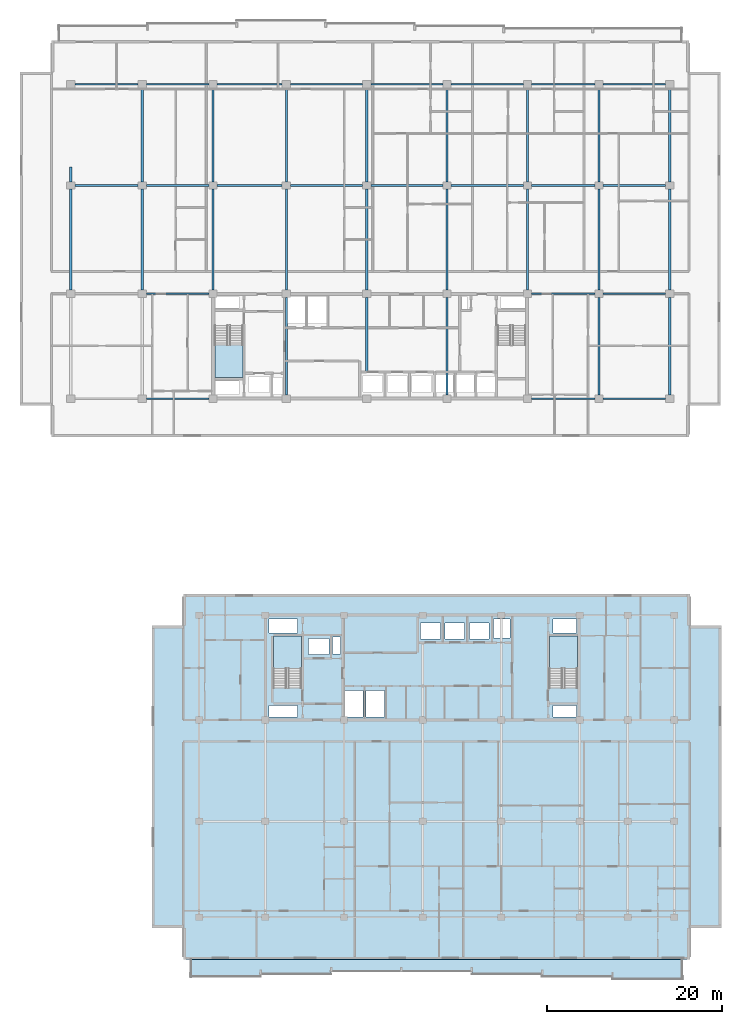
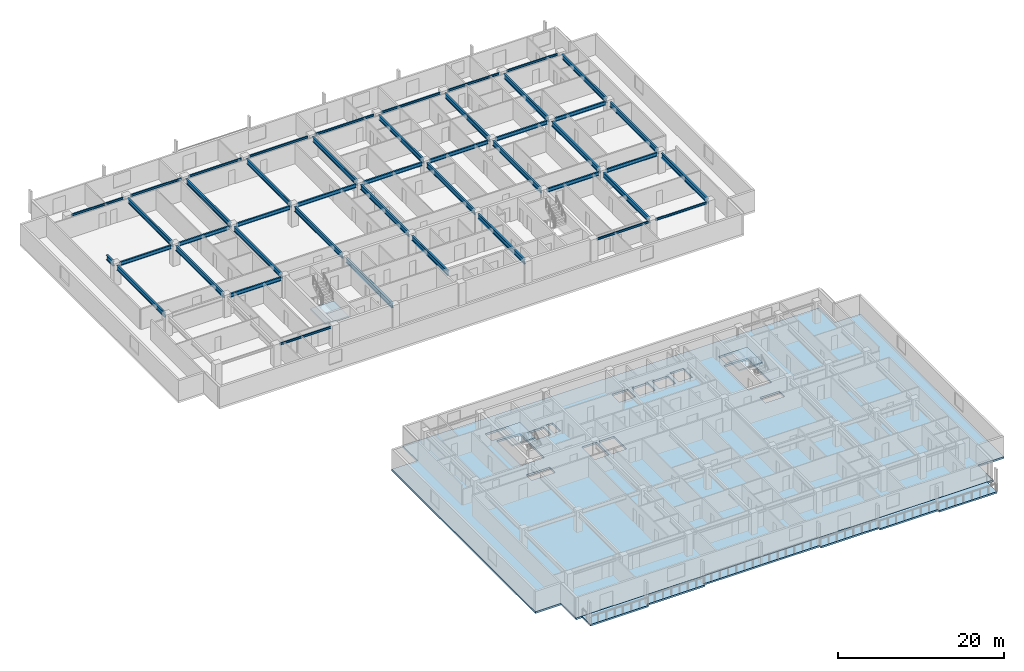
# One storey, part 2 of 21: 45 beams, 5 slabs, 3 elements without a shape of their own.
"""IFC4 building model written with IfcOpenShell, lengths in metres."""

from ifc_helpers import new_model, si_unit, direction, frame, origin, origin_2d, place, context, subcontext, project, spatial, polyline, i_section, outline, extrude, material, layer, layer_set, material_profile, profile_set, type_object, element, aggregate, save


model = new_model("IFC4")

# Units and contexts
model_context = context("Model", 3, precision=1e-05, world=origin(), true_north=direction((0.0, 1.0)))
body_context = subcontext(model_context, "Body", "Model", "MODEL_VIEW")
ifc_project = project(units=[si_unit("LENGTHUNIT", "METRE"), si_unit("AREAUNIT", "SQUARE_METRE"), si_unit("VOLUMEUNIT", "CUBIC_METRE"), si_unit("PLANEANGLEUNIT", "RADIAN"), si_unit("MASSUNIT", "GRAM", prefix="KILO")], contexts=[model_context])

# Site, building, storey
site_placement = place(None, origin())
site = spatial("IfcSite", under=ifc_project, at=site_placement, CompositionType="ELEMENT")
building_placement = place(site_placement, origin())
building = spatial("IfcBuilding", under=site, at=building_placement, Name="Korimba Cascade Residences", CompositionType="ELEMENT")
storey_placement = place(building_placement, frame((0.0, 0.0, 106.800048828125)))
storey = spatial("IfcBuildingStorey", under=building, at=storey_placement, Name="L30", CompositionType="ELEMENT", Elevation=106.800048828125)

# Beams
ifc_material_1 = material(Name="Steel S355", Category="steel")
ifc_material_profile_1 = material_profile(ifc_material_1, i_section(OverallWidth=0.165771484375, OverallDepth=0.306640625, WebThickness=0.006591796875, FlangeThickness=0.01171875, FilletRadius=0.0087890625, at=origin_2d()), Name="Steel S355")
ifc_profile_set_1 = profile_set([ifc_material_profile_1], Name="Steel S355")
beam_type_1 = type_object("IfcBeamType", Name="BM-STL-UB305", PredefinedType="SPANDREL", material=ifc_profile_set_1)
beam_1_placement = place(storey_placement, frame((68.47509765625, 55.199951171875, 2.816650390625), z_axis=(1.0, 0.0, 0.0), x_axis=(0.0, 1.0, 0.0)))
element("IfcBeam", 1, at=beam_1_placement, inside=storey, type_object=beam_type_1, Name="L30 T1 E-W Girder Y1 Bay 2", PredefinedType="SPANDREL", context=body_context, shape_type="SweptSolid", body=[
    extrude(i_section(OverallWidth=0.165771484375, OverallDepth=0.306640625, WebThickness=0.006591796875, FlangeThickness=0.01171875, FilletRadius=0.0087890625, at=origin_2d()), origin(), (0.0, 0.0, 1.0), 7.14990234375),
])
beam_2_placement = place(storey_placement, frame((112.574951171875, 55.199951171875, 2.816650390625), z_axis=(1.0, 0.0, 0.0), x_axis=(0.0, 1.0, 0.0)))
element("IfcBeam", 2, at=beam_2_placement, inside=storey, type_object=beam_type_1, Name="L30 T1 E-W Girder Y1 Bay 7", PredefinedType="SPANDREL", context=body_context, shape_type="SweptSolid", body=[
    extrude(i_section(OverallWidth=0.165771484375, OverallDepth=0.306640625, WebThickness=0.006591796875, FlangeThickness=0.01171875, FilletRadius=0.0087890625, at=origin_2d()), origin(), (0.0, 0.0, 1.0), 7.25),
])
beam_3_placement = place(storey_placement, frame((120.77490234375, 55.199951171875, 2.816650390625), z_axis=(1.0, 0.0, 0.0), x_axis=(0.0, 1.0, 0.0)))
element("IfcBeam", 3, at=beam_3_placement, inside=storey, type_object=beam_type_1, Name="L30 T1 E-W Girder Y1 Bay 8", PredefinedType="SPANDREL", context=body_context, shape_type="SweptSolid", body=[
    extrude(i_section(OverallWidth=0.165771484375, OverallDepth=0.306640625, WebThickness=0.006591796875, FlangeThickness=0.01171875, FilletRadius=0.0087890625, at=origin_2d()), origin(), (0.0, 0.0, 1.0), 7.150146484375),
])
beam_4_placement = place(storey_placement, frame((60.27490234375, 91.199951171875, 2.816650390625), z_axis=(1.0, 0.0, 0.0), x_axis=(0.0, 1.0, 0.0)))
element("IfcBeam", 4, at=beam_4_placement, inside=storey, type_object=beam_type_1, Name="L30 T1 E-W Girder Y4 Bay 1", PredefinedType="SPANDREL", context=body_context, shape_type="SweptSolid", body=[
    extrude(i_section(OverallWidth=0.165771484375, OverallDepth=0.306640625, WebThickness=0.006591796875, FlangeThickness=0.01171875, FilletRadius=0.0087890625, at=origin_2d()), origin(), (0.0, 0.0, 1.0), 7.25),
])
beam_5_placement = place(storey_placement, frame((68.47509765625, 91.199951171875, 2.816650390625), z_axis=(1.0, 0.0, 0.0), x_axis=(0.0, 1.0, 0.0)))
element("IfcBeam", 5, at=beam_5_placement, inside=storey, type_object=beam_type_1, Name="L30 T1 E-W Girder Y4 Bay 2", PredefinedType="SPANDREL", context=body_context, shape_type="SweptSolid", body=[
    extrude(i_section(OverallWidth=0.165771484375, OverallDepth=0.306640625, WebThickness=0.006591796875, FlangeThickness=0.01171875, FilletRadius=0.0087890625, at=origin_2d()), origin(), (0.0, 0.0, 1.0), 7.14990234375),
])
beam_6_placement = place(storey_placement, frame((76.574951171875, 91.199951171875, 2.816650390625), z_axis=(1.0, 0.0, 0.0), x_axis=(0.0, 1.0, 0.0)))
element("IfcBeam", 6, at=beam_6_placement, inside=storey, type_object=beam_type_1, Name="L30 T1 E-W Girder Y4 Bay 3", PredefinedType="SPANDREL", context=body_context, shape_type="SweptSolid", body=[
    extrude(i_section(OverallWidth=0.165771484375, OverallDepth=0.306640625, WebThickness=0.006591796875, FlangeThickness=0.01171875, FilletRadius=0.0087890625, at=origin_2d()), origin(), (0.0, 0.0, 1.0), 7.449951171875),
])
for number, where, z_axis, x_axis, name in (
    (7, (84.97509765625, 91.199951171875, 2.816650390625), (1.0, 0.0, 0.0), (0.0, 1.0, 0.0), "L30 T1 E-W Girder Y4 Bay 4"),
    (8, (94.175048828125, 91.199951171875, 2.816650390625), (1.0, 0.0, 0.0), (0.0, 1.0, 0.0), "L30 T1 E-W Girder Y4 Bay 5"),
    (9, (103.375, 91.199951171875, 2.816650390625), (1.0, 0.0, 0.0), (0.0, 1.0, 0.0), "L30 T1 E-W Girder Y4 Bay 6"),
):
    element("IfcBeam", number, at=place(storey_placement, frame(where, z_axis=z_axis, x_axis=x_axis)), inside=storey, type_object=beam_type_1, Name=name, PredefinedType="SPANDREL", context=body_context, shape_type="SweptSolid", body=[
        extrude(i_section(OverallWidth=0.165771484375, OverallDepth=0.306640625, WebThickness=0.006591796875, FlangeThickness=0.01171875, FilletRadius=0.0087890625, at=origin_2d()), origin(), (0.0, 0.0, 1.0), 8.25),
    ])
beam_7_placement = place(storey_placement, frame((112.574951171875, 91.199951171875, 2.816650390625), z_axis=(1.0, 0.0, 0.0), x_axis=(0.0, 1.0, 0.0)))
element("IfcBeam", 10, at=beam_7_placement, inside=storey, type_object=beam_type_1, Name="L30 T1 E-W Girder Y4 Bay 7", PredefinedType="SPANDREL", context=body_context, shape_type="SweptSolid", body=[
    extrude(i_section(OverallWidth=0.165771484375, OverallDepth=0.306640625, WebThickness=0.006591796875, FlangeThickness=0.01171875, FilletRadius=0.0087890625, at=origin_2d()), origin(), (0.0, 0.0, 1.0), 7.25),
])
beam_8_placement = place(storey_placement, frame((120.77490234375, 91.199951171875, 2.816650390625), z_axis=(1.0, 0.0, 0.0), x_axis=(0.0, 1.0, 0.0)))
element("IfcBeam", 11, at=beam_8_placement, inside=storey, type_object=beam_type_1, Name="L30 T1 E-W Girder Y4 Bay 8", PredefinedType="SPANDREL", context=body_context, shape_type="SweptSolid", body=[
    extrude(i_section(OverallWidth=0.165771484375, OverallDepth=0.306640625, WebThickness=0.006591796875, FlangeThickness=0.01171875, FilletRadius=0.0087890625, at=origin_2d()), origin(), (0.0, 0.0, 1.0), 7.150146484375),
])
ifc_material_profile_2 = material_profile(ifc_material_1, i_section(OverallWidth=0.2099609375, OverallDepth=0.53662109375, WebThickness=0.0107421875, FlangeThickness=0.017333984375, FilletRadius=0.0126953125, at=origin_2d()), Name="Steel S355")
ifc_profile_set_2 = profile_set([ifc_material_profile_2], Name="Steel S355")
beam_type_2 = type_object("IfcBeamType", Name="BM-STL-UB533", PredefinedType="BEAM", material=ifc_profile_set_2)
beam_9_placement = place(storey_placement, frame((68.47509765625, 67.199951171875, 2.70166015625), z_axis=(1.0, 0.0, 0.0), x_axis=(0.0, 1.0, 0.0)))
element("IfcBeam", 12, at=beam_9_placement, inside=storey, type_object=beam_type_2, Name="L30 T1 E-W Girder Y2 Bay 2", PredefinedType="BEAM", context=body_context, shape_type="SweptSolid", body=[
    extrude(i_section(OverallWidth=0.2099609375, OverallDepth=0.53662109375, WebThickness=0.0107421875, FlangeThickness=0.017333984375, FilletRadius=0.0126953125, at=origin_2d()), origin(), (0.0, 0.0, 1.0), 7.14990234375),
])
beam_10_placement = place(storey_placement, frame((112.574951171875, 67.199951171875, 2.70166015625), z_axis=(1.0, 0.0, 0.0), x_axis=(0.0, 1.0, 0.0)))
element("IfcBeam", 13, at=beam_10_placement, inside=storey, type_object=beam_type_2, Name="L30 T1 E-W Girder Y2 Bay 7", PredefinedType="BEAM", context=body_context, shape_type="SweptSolid", body=[
    extrude(i_section(OverallWidth=0.2099609375, OverallDepth=0.53662109375, WebThickness=0.0107421875, FlangeThickness=0.017333984375, FilletRadius=0.0126953125, at=origin_2d()), origin(), (0.0, 0.0, 1.0), 7.25),
])
beam_11_placement = place(storey_placement, frame((120.77490234375, 67.199951171875, 2.70166015625), z_axis=(1.0, 0.0, 0.0), x_axis=(0.0, 1.0, 0.0)))
element("IfcBeam", 14, at=beam_11_placement, inside=storey, type_object=beam_type_2, Name="L30 T1 E-W Girder Y2 Bay 8", PredefinedType="BEAM", context=body_context, shape_type="SweptSolid", body=[
    extrude(i_section(OverallWidth=0.2099609375, OverallDepth=0.53662109375, WebThickness=0.0107421875, FlangeThickness=0.017333984375, FilletRadius=0.0126953125, at=origin_2d()), origin(), (0.0, 0.0, 1.0), 7.150146484375),
])
beam_12_placement = place(storey_placement, frame((60.27490234375, 79.60009765625, 2.70166015625), z_axis=(1.0, 0.0, 0.0), x_axis=(0.0, 1.0, 0.0)))
element("IfcBeam", 15, at=beam_12_placement, inside=storey, type_object=beam_type_2, Name="L30 T1 E-W Girder Y3 Bay 1", PredefinedType="BEAM", context=body_context, shape_type="SweptSolid", body=[
    extrude(i_section(OverallWidth=0.2099609375, OverallDepth=0.53662109375, WebThickness=0.0107421875, FlangeThickness=0.017333984375, FilletRadius=0.0126953125, at=origin_2d()), origin(), (0.0, 0.0, 1.0), 7.25),
])
beam_13_placement = place(storey_placement, frame((68.47509765625, 79.60009765625, 2.70166015625), z_axis=(1.0, 0.0, 0.0), x_axis=(0.0, 1.0, 0.0)))
element("IfcBeam", 16, at=beam_13_placement, inside=storey, type_object=beam_type_2, Name="L30 T1 E-W Girder Y3 Bay 2", PredefinedType="BEAM", context=body_context, shape_type="SweptSolid", body=[
    extrude(i_section(OverallWidth=0.2099609375, OverallDepth=0.53662109375, WebThickness=0.0107421875, FlangeThickness=0.017333984375, FilletRadius=0.0126953125, at=origin_2d()), origin(), (0.0, 0.0, 1.0), 7.14990234375),
])
beam_14_placement = place(storey_placement, frame((76.574951171875, 79.60009765625, 2.70166015625), z_axis=(1.0, 0.0, 0.0), x_axis=(0.0, 1.0, 0.0)))
element("IfcBeam", 17, at=beam_14_placement, inside=storey, type_object=beam_type_2, Name="L30 T1 E-W Girder Y3 Bay 3", PredefinedType="BEAM", context=body_context, shape_type="SweptSolid", body=[
    extrude(i_section(OverallWidth=0.2099609375, OverallDepth=0.53662109375, WebThickness=0.0107421875, FlangeThickness=0.017333984375, FilletRadius=0.0126953125, at=origin_2d()), origin(), (0.0, 0.0, 1.0), 7.449951171875),
])
for number, where, z_axis, x_axis, name in (
    (18, (84.97509765625, 79.60009765625, 2.70166015625), (1.0, 0.0, 0.0), (0.0, 1.0, 0.0), "L30 T1 E-W Girder Y3 Bay 4"),
    (19, (94.175048828125, 79.60009765625, 2.70166015625), (1.0, 0.0, 0.0), (0.0, 1.0, 0.0), "L30 T1 E-W Girder Y3 Bay 5"),
    (20, (103.375, 79.60009765625, 2.70166015625), (1.0, 0.0, 0.0), (0.0, 1.0, 0.0), "L30 T1 E-W Girder Y3 Bay 6"),
):
    element("IfcBeam", number, at=place(storey_placement, frame(where, z_axis=z_axis, x_axis=x_axis)), inside=storey, type_object=beam_type_2, Name=name, PredefinedType="BEAM", context=body_context, shape_type="SweptSolid", body=[
        extrude(i_section(OverallWidth=0.2099609375, OverallDepth=0.53662109375, WebThickness=0.0107421875, FlangeThickness=0.017333984375, FilletRadius=0.0126953125, at=origin_2d()), origin(), (0.0, 0.0, 1.0), 8.25),
    ])
beam_15_placement = place(storey_placement, frame((112.574951171875, 79.60009765625, 2.70166015625), z_axis=(1.0, 0.0, 0.0), x_axis=(0.0, 1.0, 0.0)))
element("IfcBeam", 21, at=beam_15_placement, inside=storey, type_object=beam_type_2, Name="L30 T1 E-W Girder Y3 Bay 7", PredefinedType="BEAM", context=body_context, shape_type="SweptSolid", body=[
    extrude(i_section(OverallWidth=0.2099609375, OverallDepth=0.53662109375, WebThickness=0.0107421875, FlangeThickness=0.017333984375, FilletRadius=0.0126953125, at=origin_2d()), origin(), (0.0, 0.0, 1.0), 7.25),
])
beam_16_placement = place(storey_placement, frame((120.77490234375, 79.60009765625, 2.70166015625), z_axis=(1.0, 0.0, 0.0), x_axis=(0.0, 1.0, 0.0)))
element("IfcBeam", 22, at=beam_16_placement, inside=storey, type_object=beam_type_2, Name="L30 T1 E-W Girder Y3 Bay 8", PredefinedType="BEAM", context=body_context, shape_type="SweptSolid", body=[
    extrude(i_section(OverallWidth=0.2099609375, OverallDepth=0.53662109375, WebThickness=0.0107421875, FlangeThickness=0.017333984375, FilletRadius=0.0126953125, at=origin_2d()), origin(), (0.0, 0.0, 1.0), 7.150146484375),
])
ifc_material_profile_3 = material_profile(ifc_material_1, i_section(OverallWidth=0.255859375, OverallDepth=0.69287109375, WebThickness=0.014404296875, FlangeThickness=0.023681640625, FilletRadius=0.01513671875, at=origin_2d()), Name="Steel S355")
ifc_profile_set_3 = profile_set([ifc_material_profile_3], Name="Steel S355")
beam_type_3 = type_object("IfcBeamType", Name="BM-STL-UB686", PredefinedType="BEAM", material=ifc_profile_set_3)
beam_17_placement = place(storey_placement, frame((59.800048828125, 67.625, 2.62353515625), z_axis=(0.0, 1.0, 0.0), x_axis=(-1.0, 0.0, 0.0)))
element("IfcBeam", 23, at=beam_17_placement, inside=storey, type_object=beam_type_3, Name="L30 T1 N-S Girder X1 Seg 2", PredefinedType="BEAM", context=body_context, shape_type="SweptSolid", body=[
    extrude(i_section(OverallWidth=0.255859375, OverallDepth=0.69287109375, WebThickness=0.014404296875, FlangeThickness=0.023681640625, FilletRadius=0.01513671875, at=origin_2d()), origin(), (0.0, 0.0, 1.0), 11.550048828125),
])
beam_18_placement = place(storey_placement, frame((59.800048828125, 80.02490234375, 2.62353515625), z_axis=(0.0, 1.0, 0.0), x_axis=(-1.0, 0.0, 0.0)))
element("IfcBeam", 24, at=beam_18_placement, inside=storey, type_object=beam_type_3, Name="L30 T1 N-S Girder X1 Seg 3", PredefinedType="BEAM", context=body_context, shape_type="SweptSolid", body=[
    extrude(i_section(OverallWidth=0.255859375, OverallDepth=0.69287109375, WebThickness=0.014404296875, FlangeThickness=0.023681640625, FilletRadius=0.01513671875, at=origin_2d()), origin(), (0.0, 0.0, 1.0), 1.675048828125),
])
beam_19_placement = place(storey_placement, frame((68.0, 67.625, 2.62353515625), z_axis=(0.0, 1.0, 0.0), x_axis=(-1.0, 0.0, 0.0)))
element("IfcBeam", 25, at=beam_19_placement, inside=storey, type_object=beam_type_3, Name="L30 T1 N-S Girder X2 Seg 2", PredefinedType="BEAM", context=body_context, shape_type="SweptSolid", body=[
    extrude(i_section(OverallWidth=0.255859375, OverallDepth=0.69287109375, WebThickness=0.014404296875, FlangeThickness=0.023681640625, FilletRadius=0.01513671875, at=origin_2d()), origin(), (0.0, 0.0, 1.0), 11.550048828125),
])
beam_20_placement = place(storey_placement, frame((68.0, 80.02490234375, 2.62353515625), z_axis=(0.0, 1.0, 0.0), x_axis=(-1.0, 0.0, 0.0)))
element("IfcBeam", 26, at=beam_20_placement, inside=storey, type_object=beam_type_3, Name="L30 T1 N-S Girder X2 Seg 3", PredefinedType="BEAM", context=body_context, shape_type="SweptSolid", body=[
    extrude(i_section(OverallWidth=0.255859375, OverallDepth=0.69287109375, WebThickness=0.014404296875, FlangeThickness=0.023681640625, FilletRadius=0.01513671875, at=origin_2d()), origin(), (0.0, 0.0, 1.0), 10.75),
])
beam_21_placement = place(storey_placement, frame((76.10009765625, 67.625, 2.62353515625), z_axis=(0.0, 1.0, 0.0), x_axis=(-1.0, 0.0, 0.0)))
element("IfcBeam", 27, at=beam_21_placement, inside=storey, type_object=beam_type_3, Name="L30 T1 N-S Girder X3 Seg 2", PredefinedType="BEAM", context=body_context, shape_type="SweptSolid", body=[
    extrude(i_section(OverallWidth=0.255859375, OverallDepth=0.69287109375, WebThickness=0.014404296875, FlangeThickness=0.023681640625, FilletRadius=0.01513671875, at=origin_2d()), origin(), (0.0, 0.0, 1.0), 11.550048828125),
])
beam_22_placement = place(storey_placement, frame((76.10009765625, 80.02490234375, 2.62353515625), z_axis=(0.0, 1.0, 0.0), x_axis=(-1.0, 0.0, 0.0)))
element("IfcBeam", 28, at=beam_22_placement, inside=storey, type_object=beam_type_3, Name="L30 T1 N-S Girder X3 Seg 3", PredefinedType="BEAM", context=body_context, shape_type="SweptSolid", body=[
    extrude(i_section(OverallWidth=0.255859375, OverallDepth=0.69287109375, WebThickness=0.014404296875, FlangeThickness=0.023681640625, FilletRadius=0.01513671875, at=origin_2d()), origin(), (0.0, 0.0, 1.0), 10.75),
])
beam_23_placement = place(storey_placement, frame((84.5, 55.625, 2.62353515625), z_axis=(0.0, 1.0, 0.0), x_axis=(-1.0, 0.0, 0.0)))
element("IfcBeam", 29, at=beam_23_placement, inside=storey, type_object=beam_type_3, Name="L30 T1 N-S Girder X4 Seg 1", PredefinedType="BEAM", context=body_context, shape_type="SweptSolid", body=[
    extrude(i_section(OverallWidth=0.255859375, OverallDepth=0.69287109375, WebThickness=0.014404296875, FlangeThickness=0.023681640625, FilletRadius=0.01513671875, at=origin_2d()), origin(), (0.0, 0.0, 1.0), 11.14990234375),
])
beam_24_placement = place(storey_placement, frame((84.5, 67.625, 2.62353515625), z_axis=(0.0, 1.0, 0.0), x_axis=(-1.0, 0.0, 0.0)))
element("IfcBeam", 30, at=beam_24_placement, inside=storey, type_object=beam_type_3, Name="L30 T1 N-S Girder X4 Seg 2", PredefinedType="BEAM", context=body_context, shape_type="SweptSolid", body=[
    extrude(i_section(OverallWidth=0.255859375, OverallDepth=0.69287109375, WebThickness=0.014404296875, FlangeThickness=0.023681640625, FilletRadius=0.01513671875, at=origin_2d()), origin(), (0.0, 0.0, 1.0), 11.550048828125),
])
beam_25_placement = place(storey_placement, frame((84.5, 80.02490234375, 2.62353515625), z_axis=(0.0, 1.0, 0.0), x_axis=(-1.0, 0.0, 0.0)))
element("IfcBeam", 31, at=beam_25_placement, inside=storey, type_object=beam_type_3, Name="L30 T1 N-S Girder X4 Seg 3", PredefinedType="BEAM", context=body_context, shape_type="SweptSolid", body=[
    extrude(i_section(OverallWidth=0.255859375, OverallDepth=0.69287109375, WebThickness=0.014404296875, FlangeThickness=0.023681640625, FilletRadius=0.01513671875, at=origin_2d()), origin(), (0.0, 0.0, 1.0), 10.75),
])
beam_26_placement = place(storey_placement, frame((93.699951171875, 58.159912109375, 2.62353515625), z_axis=(0.0, 1.0, 0.0), x_axis=(-1.0, 0.0, 0.0)))
element("IfcBeam", 32, at=beam_26_placement, inside=storey, type_object=beam_type_3, Name="L30 T1 N-S Girder X5 Seg 1", PredefinedType="BEAM", context=body_context, shape_type="SweptSolid", body=[
    extrude(i_section(OverallWidth=0.255859375, OverallDepth=0.69287109375, WebThickness=0.014404296875, FlangeThickness=0.023681640625, FilletRadius=0.01513671875, at=origin_2d()), origin(), (0.0, 0.0, 1.0), 8.614990234375),
])
beam_27_placement = place(storey_placement, frame((93.699951171875, 67.625, 2.62353515625), z_axis=(0.0, 1.0, 0.0), x_axis=(-1.0, 0.0, 0.0)))
element("IfcBeam", 33, at=beam_27_placement, inside=storey, type_object=beam_type_3, Name="L30 T1 N-S Girder X5 Seg 2", PredefinedType="BEAM", context=body_context, shape_type="SweptSolid", body=[
    extrude(i_section(OverallWidth=0.255859375, OverallDepth=0.69287109375, WebThickness=0.014404296875, FlangeThickness=0.023681640625, FilletRadius=0.01513671875, at=origin_2d()), origin(), (0.0, 0.0, 1.0), 11.550048828125),
])
beam_28_placement = place(storey_placement, frame((93.699951171875, 80.02490234375, 2.62353515625), z_axis=(0.0, 1.0, 0.0), x_axis=(-1.0, 0.0, 0.0)))
element("IfcBeam", 34, at=beam_28_placement, inside=storey, type_object=beam_type_3, Name="L30 T1 N-S Girder X5 Seg 3", PredefinedType="BEAM", context=body_context, shape_type="SweptSolid", body=[
    extrude(i_section(OverallWidth=0.255859375, OverallDepth=0.69287109375, WebThickness=0.014404296875, FlangeThickness=0.023681640625, FilletRadius=0.01513671875, at=origin_2d()), origin(), (0.0, 0.0, 1.0), 10.75),
])
beam_29_placement = place(storey_placement, frame((102.89990234375, 55.625, 2.62353515625), z_axis=(0.0, 1.0, 0.0), x_axis=(-1.0, 0.0, 0.0)))
element("IfcBeam", 35, at=beam_29_placement, inside=storey, type_object=beam_type_3, Name="L30 T1 N-S Girder X6 Seg 1", PredefinedType="BEAM", context=body_context, shape_type="SweptSolid", body=[
    extrude(i_section(OverallWidth=0.255859375, OverallDepth=0.69287109375, WebThickness=0.014404296875, FlangeThickness=0.023681640625, FilletRadius=0.01513671875, at=origin_2d()), origin(), (0.0, 0.0, 1.0), 11.14990234375),
])
beam_30_placement = place(storey_placement, frame((102.89990234375, 67.625, 2.62353515625), z_axis=(0.0, 1.0, 0.0), x_axis=(-1.0, 0.0, 0.0)))
element("IfcBeam", 36, at=beam_30_placement, inside=storey, type_object=beam_type_3, Name="L30 T1 N-S Girder X6 Seg 2", PredefinedType="BEAM", context=body_context, shape_type="SweptSolid", body=[
    extrude(i_section(OverallWidth=0.255859375, OverallDepth=0.69287109375, WebThickness=0.014404296875, FlangeThickness=0.023681640625, FilletRadius=0.01513671875, at=origin_2d()), origin(), (0.0, 0.0, 1.0), 11.550048828125),
])
beam_31_placement = place(storey_placement, frame((102.89990234375, 80.02490234375, 2.62353515625), z_axis=(0.0, 1.0, 0.0), x_axis=(-1.0, 0.0, 0.0)))
element("IfcBeam", 37, at=beam_31_placement, inside=storey, type_object=beam_type_3, Name="L30 T1 N-S Girder X6 Seg 3", PredefinedType="BEAM", context=body_context, shape_type="SweptSolid", body=[
    extrude(i_section(OverallWidth=0.255859375, OverallDepth=0.69287109375, WebThickness=0.014404296875, FlangeThickness=0.023681640625, FilletRadius=0.01513671875, at=origin_2d()), origin(), (0.0, 0.0, 1.0), 10.75),
])
beam_32_placement = place(storey_placement, frame((112.10009765625, 67.625, 2.62353515625), z_axis=(0.0, 1.0, 0.0), x_axis=(-1.0, 0.0, 0.0)))
element("IfcBeam", 38, at=beam_32_placement, inside=storey, type_object=beam_type_3, Name="L30 T1 N-S Girder X7 Seg 2", PredefinedType="BEAM", context=body_context, shape_type="SweptSolid", body=[
    extrude(i_section(OverallWidth=0.255859375, OverallDepth=0.69287109375, WebThickness=0.014404296875, FlangeThickness=0.023681640625, FilletRadius=0.01513671875, at=origin_2d()), origin(), (0.0, 0.0, 1.0), 11.550048828125),
])
beam_33_placement = place(storey_placement, frame((112.10009765625, 80.02490234375, 2.62353515625), z_axis=(0.0, 1.0, 0.0), x_axis=(-1.0, 0.0, 0.0)))
element("IfcBeam", 39, at=beam_33_placement, inside=storey, type_object=beam_type_3, Name="L30 T1 N-S Girder X7 Seg 3", PredefinedType="BEAM", context=body_context, shape_type="SweptSolid", body=[
    extrude(i_section(OverallWidth=0.255859375, OverallDepth=0.69287109375, WebThickness=0.014404296875, FlangeThickness=0.023681640625, FilletRadius=0.01513671875, at=origin_2d()), origin(), (0.0, 0.0, 1.0), 10.75),
])
beam_34_placement = place(storey_placement, frame((120.300048828125, 55.625, 2.62353515625), z_axis=(0.0, 1.0, 0.0), x_axis=(-1.0, 0.0, 0.0)))
element("IfcBeam", 40, at=beam_34_placement, inside=storey, type_object=beam_type_3, Name="L30 T1 N-S Girder X8 Seg 1", PredefinedType="BEAM", context=body_context, shape_type="SweptSolid", body=[
    extrude(i_section(OverallWidth=0.255859375, OverallDepth=0.69287109375, WebThickness=0.014404296875, FlangeThickness=0.023681640625, FilletRadius=0.01513671875, at=origin_2d()), origin(), (0.0, 0.0, 1.0), 11.14990234375),
])
beam_35_placement = place(storey_placement, frame((120.300048828125, 67.625, 2.62353515625), z_axis=(0.0, 1.0, 0.0), x_axis=(-1.0, 0.0, 0.0)))
element("IfcBeam", 41, at=beam_35_placement, inside=storey, type_object=beam_type_3, Name="L30 T1 N-S Girder X8 Seg 2", PredefinedType="BEAM", context=body_context, shape_type="SweptSolid", body=[
    extrude(i_section(OverallWidth=0.255859375, OverallDepth=0.69287109375, WebThickness=0.014404296875, FlangeThickness=0.023681640625, FilletRadius=0.01513671875, at=origin_2d()), origin(), (0.0, 0.0, 1.0), 11.550048828125),
])
beam_36_placement = place(storey_placement, frame((120.300048828125, 80.02490234375, 2.62353515625), z_axis=(0.0, 1.0, 0.0), x_axis=(-1.0, 0.0, 0.0)))
element("IfcBeam", 42, at=beam_36_placement, inside=storey, type_object=beam_type_3, Name="L30 T1 N-S Girder X8 Seg 3", PredefinedType="BEAM", context=body_context, shape_type="SweptSolid", body=[
    extrude(i_section(OverallWidth=0.255859375, OverallDepth=0.69287109375, WebThickness=0.014404296875, FlangeThickness=0.023681640625, FilletRadius=0.01513671875, at=origin_2d()), origin(), (0.0, 0.0, 1.0), 10.75),
])
beam_37_placement = place(storey_placement, frame((128.39990234375, 55.625, 2.62353515625), z_axis=(0.0, 1.0, 0.0), x_axis=(-1.0, 0.0, 0.0)))
element("IfcBeam", 43, at=beam_37_placement, inside=storey, type_object=beam_type_3, Name="L30 T1 N-S Girder X9 Seg 1", PredefinedType="BEAM", context=body_context, shape_type="SweptSolid", body=[
    extrude(i_section(OverallWidth=0.255859375, OverallDepth=0.69287109375, WebThickness=0.014404296875, FlangeThickness=0.023681640625, FilletRadius=0.01513671875, at=origin_2d()), origin(), (0.0, 0.0, 1.0), 11.14990234375),
])
beam_38_placement = place(storey_placement, frame((128.39990234375, 67.625, 2.62353515625), z_axis=(0.0, 1.0, 0.0), x_axis=(-1.0, 0.0, 0.0)))
element("IfcBeam", 44, at=beam_38_placement, inside=storey, type_object=beam_type_3, Name="L30 T1 N-S Girder X9 Seg 2", PredefinedType="BEAM", context=body_context, shape_type="SweptSolid", body=[
    extrude(i_section(OverallWidth=0.255859375, OverallDepth=0.69287109375, WebThickness=0.014404296875, FlangeThickness=0.023681640625, FilletRadius=0.01513671875, at=origin_2d()), origin(), (0.0, 0.0, 1.0), 11.550048828125),
])
beam_39_placement = place(storey_placement, frame((128.39990234375, 80.02490234375, 2.62353515625), z_axis=(0.0, 1.0, 0.0), x_axis=(-1.0, 0.0, 0.0)))
element("IfcBeam", 45, at=beam_39_placement, inside=storey, type_object=beam_type_3, Name="L30 T1 N-S Girder X9 Seg 3", PredefinedType="BEAM", context=body_context, shape_type="SweptSolid", body=[
    extrude(i_section(OverallWidth=0.255859375, OverallDepth=0.69287109375, WebThickness=0.014404296875, FlangeThickness=0.023681640625, FilletRadius=0.01513671875, at=origin_2d()), origin(), (0.0, 0.0, 1.0), 10.75),
])

# Stair, slab
ifc_material_2 = material(Name="Concrete C50/60", Category="concrete")
stair_type_1 = type_object("IfcStairType", Name="STR-W1-18R-1806", PredefinedType="HALF_TURN_STAIR", material=ifc_material_2)
stair_1_placement = place(storey_placement, origin())
stair_1 = element("IfcStair", 46, at=stair_1_placement, inside=storey, type_object=stair_type_1, Name="L30 Tower 1 West Fire Stair ST-W1", PredefinedType="HALF_TURN_STAIR")
ifc_layer_1 = layer(ifc_material_2, 0.199951171875)
ifc_layer_set_1 = layer_set([ifc_layer_1], Name="Concrete C50/60")
slab_type_1 = type_object("IfcSlabType", Name="SLB-LND-220", PredefinedType="LANDING", material=ifc_layer_set_1)
slab_1_placement = place(storey_placement, frame((0.0, 0.0, 1.425048828125)))
slab_1 = element("IfcSlab", 47, at=slab_1_placement, type_object=slab_type_1, Name="ST-W1 landing 1", PredefinedType="LANDING", context=body_context, shape_type="SweptSolid", body=[
    extrude(outline(polyline([(76.300048828125, 61.31005859375), (76.300048828125, 57.60009765625), (79.5400390625, 57.60009765625), (79.5400390625, 61.31005859375), (76.300048828125, 61.31005859375)])), origin(), (0.0, 0.0, 1.0), 0.199951171875),
])
aggregate(stair_1, [slab_1])

stair_type_2 = type_object("IfcStairType", Name="STR-E1-18R-1806", PredefinedType="HALF_TURN_STAIR", material=ifc_material_2)
stair_2_placement = place(storey_placement, origin())
stair_2 = element("IfcStair", 48, at=stair_2_placement, inside=storey, type_object=stair_type_2, Name="L30 Tower 2 West Fire Stair ST-E1", PredefinedType="HALF_TURN_STAIR")
slab_2_placement = place(storey_placement, frame((0.0, 0.0, 1.425048828125)))
slab_2 = element("IfcSlab", 49, at=slab_2_placement, type_object=slab_type_1, Name="ST-E1 landing 1", PredefinedType="LANDING", context=body_context, shape_type="SweptSolid", body=[
    extrude(outline(polyline([(86.239990234375, 24.2900390625), (86.239990234375, 28.0), (83.0, 28.0), (83.0, 24.2900390625), (86.239990234375, 24.2900390625)])), origin(), (0.0, 0.0, 1.0), 0.199951171875),
])
aggregate(stair_2, [slab_2])

stair_type_3 = type_object("IfcStairType", Name="STR-E2-18R-1806", PredefinedType="HALF_TURN_STAIR", material=ifc_material_2)
stair_3_placement = place(storey_placement, origin())
stair_3 = element("IfcStair", 50, at=stair_3_placement, inside=storey, type_object=stair_type_3, Name="L30 Tower 2 East Fire Stair ST-E2", PredefinedType="HALF_TURN_STAIR")
slab_3_placement = place(storey_placement, frame((0.0, 0.0, 1.425048828125)))
slab_3 = element("IfcSlab", 51, at=slab_3_placement, type_object=slab_type_1, Name="ST-E2 landing 1", PredefinedType="LANDING", context=body_context, shape_type="SweptSolid", body=[
    extrude(outline(polyline([(117.840087890625, 24.2900390625), (117.840087890625, 28.0), (114.60009765625, 28.0), (114.60009765625, 24.2900390625), (117.840087890625, 24.2900390625)])), origin(), (0.0, 0.0, 1.0), 0.199951171875),
])
aggregate(stair_3, [slab_3])

# Slabs
ifc_material_3 = material(Name="Precast concrete C40/50", Category="concrete")
ifc_layer_2 = layer(ifc_material_3, 0.239990234375)
ifc_layer_set_2 = layer_set([ifc_layer_2], Name="Precast concrete C40/50")
slab_type_2 = type_object("IfcSlabType", Name="SLB-LOG-240", PredefinedType="FLOOR", material=ifc_layer_set_2)
slab_4_placement = place(storey_placement, frame((0.0, 0.0, -0.239990234375)))
element("IfcSlab", 52, at=slab_4_placement, inside=storey, type_object=slab_type_2, Name="L30 Tower 2 South Loggia Slab", PredefinedType="FLOOR", context=body_context, shape_type="SweptSolid", body=[
    extrude(outline(polyline([(73.5, -11.050048828125), (81.55712890625, -11.050048828125), (81.55712890625, -10.75), (89.6142578125, -10.75), (89.6142578125, -10.449951171875), (105.728515625, -10.449951171875), (105.728515625, -10.75), (113.78564453125, -10.75), (113.78564453125, -11.050048828125), (121.843017578125, -11.050048828125), (121.843017578125, -11.35009765625), (129.89990234375, -11.35009765625), (129.89990234375, -9.0), (73.5, -9.0), (73.5, -11.050048828125)])), origin(), (0.0, 0.0, 1.0), 0.239990234375),
])
ifc_layer_3 = layer(ifc_material_2, 0.280029296875)
ifc_layer_set_3 = layer_set([ifc_layer_3], Name="Concrete C50/60")
slab_type_3 = type_object("IfcSlabType", Name="SLB-TYP-280", PredefinedType="FLOOR", material=ifc_layer_set_3)
slab_5_placement = place(storey_placement, frame((0.0, 0.0, -0.280029296875)))
element("IfcSlab", 53, at=slab_5_placement, inside=storey, type_object=slab_type_3, Name="L30 Tower 2 Floor Slab", PredefinedType="FLOOR", context=body_context, shape_type="SweptSolid", body=[
    extrude(outline(polyline([(72.699951171875, -9.0), (130.699951171875, -9.0), (130.699951171875, -5.39990234375), (134.300048828125, -5.39990234375), (134.300048828125, 29.199951171875), (130.699951171875, 29.199951171875), (130.699951171875, 32.800048828125), (72.699951171875, 32.800048828125), (72.699951171875, 29.199951171875), (69.10009765625, 29.199951171875), (69.10009765625, -5.39990234375), (72.699951171875, -5.39990234375), (72.699951171875, -9.0)]), holes=[polyline([(86.239990234375, 22.0849609375), (86.239990234375, 28.0), (83.0, 28.0), (83.0, 22.0849609375), (86.239990234375, 22.0849609375)]), polyline([(117.840087890625, 22.0849609375), (117.840087890625, 28.0), (114.60009765625, 28.0), (114.60009765625, 22.0849609375), (117.840087890625, 22.0849609375)]), polyline([(87.030029296875, 25.8798828125), (89.3701171875, 25.8798828125), (89.3701171875, 27.719970703125), (87.030029296875, 27.719970703125), (87.030029296875, 25.8798828125)]), polyline([(99.8798828125, 27.679931640625), (102.1201171875, 27.679931640625), (102.1201171875, 29.52001953125), (99.8798828125, 29.52001953125), (99.8798828125, 27.679931640625)]), polyline([(102.679931640625, 27.679931640625), (104.919921875, 27.679931640625), (104.919921875, 29.52001953125), (102.679931640625, 29.52001953125), (102.679931640625, 27.679931640625)]), polyline([(105.47998046875, 27.679931640625), (107.719970703125, 27.679931640625), (107.719970703125, 29.52001953125), (105.47998046875, 29.52001953125), (105.47998046875, 27.679931640625)]), polyline([(89.780029296875, 25.97998046875), (90.719970703125, 25.97998046875), (90.719970703125, 27.919921875), (89.780029296875, 27.919921875), (89.780029296875, 25.97998046875)]), polyline([(82.530029296875, 18.72998046875), (85.800048828125, 18.72998046875), (85.800048828125, 20.0400390625), (82.530029296875, 20.0400390625), (82.530029296875, 18.72998046875)]), polyline([(82.530029296875, 28.360107421875), (85.800048828125, 28.360107421875), (85.800048828125, 29.969970703125), (82.530029296875, 29.969970703125), (82.530029296875, 28.360107421875)]), polyline([(108.22998046875, 27.780029296875), (110.1201171875, 27.780029296875), (110.1201171875, 29.969970703125), (108.22998046875, 29.969970703125), (108.22998046875, 27.780029296875)]), polyline([(91.22998046875, 18.72998046875), (93.27001953125, 18.72998046875), (93.27001953125, 21.780029296875), (91.22998046875, 21.780029296875), (91.22998046875, 18.72998046875)]), polyline([(93.6298828125, 18.72998046875), (95.719970703125, 18.72998046875), (95.719970703125, 21.780029296875), (93.6298828125, 21.780029296875), (93.6298828125, 18.72998046875)]), polyline([(115.02001953125, 18.72998046875), (117.739990234375, 18.72998046875), (117.739990234375, 20.0400390625), (115.02001953125, 20.0400390625), (115.02001953125, 18.72998046875)]), polyline([(115.02001953125, 28.360107421875), (117.739990234375, 28.360107421875), (117.739990234375, 29.969970703125), (115.02001953125, 29.969970703125), (115.02001953125, 28.360107421875)])]), origin(), (0.0, 0.0, 1.0), 0.280029296875),
])

save(model, "model.ifc")
